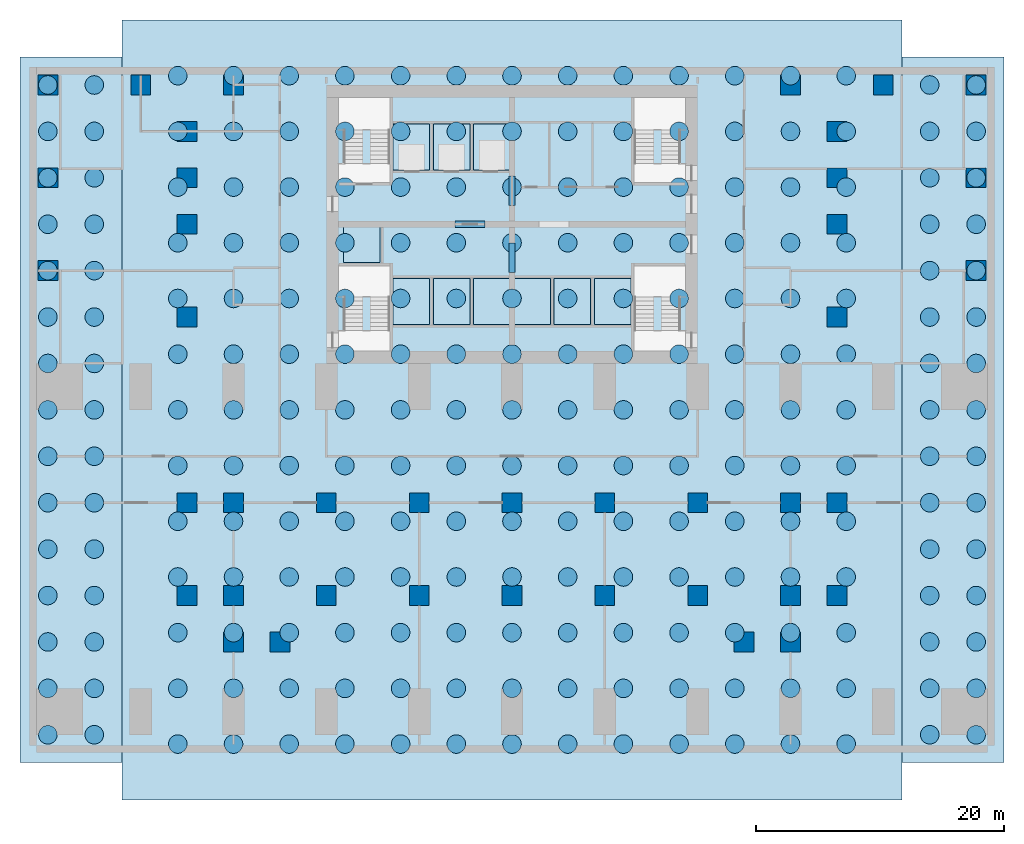
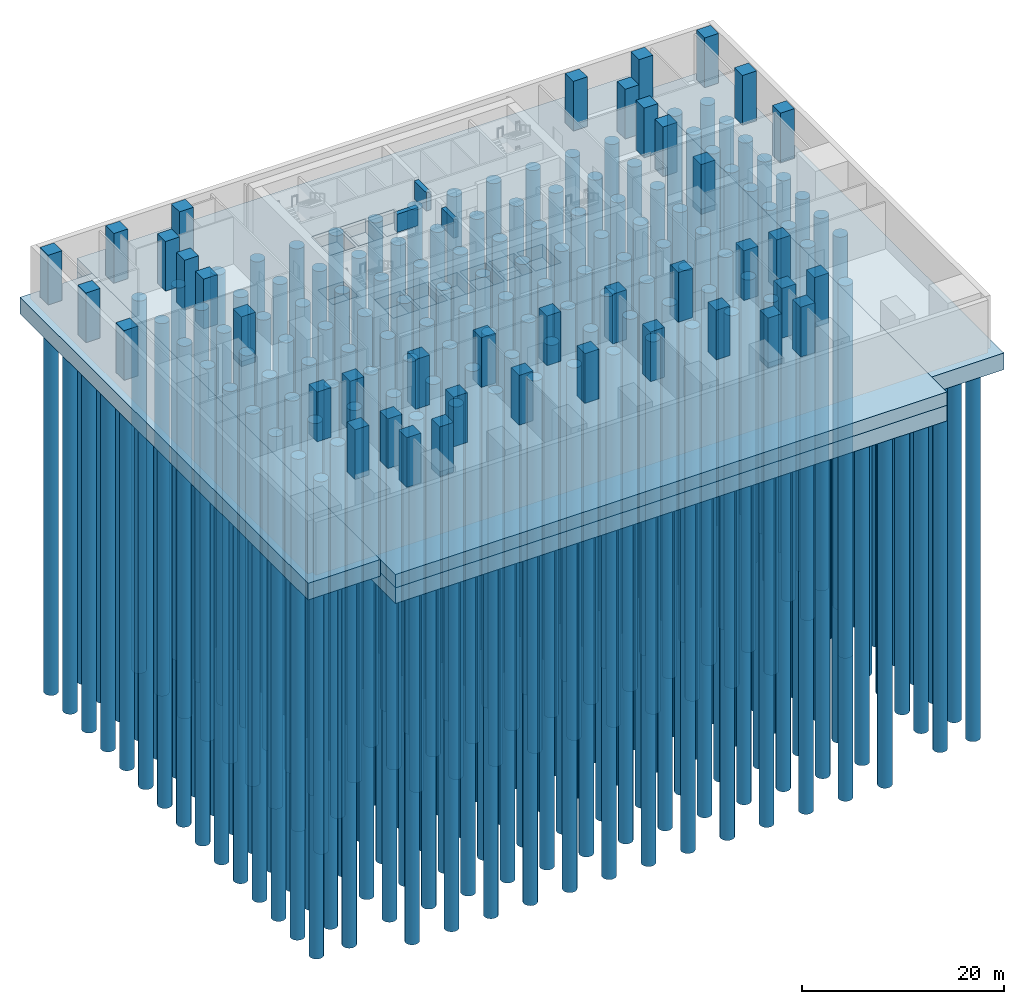
# One storey, part 1 of 9: 229 piles, 40 columns, 4 footings, 3 beams.
"""IFC4 building model written with IfcOpenShell, lengths in metres."""

from ifc_helpers import new_model, si_unit, direction, frame, origin, origin_2d, place, context, subcontext, project, spatial, polyline, rectangle, circle, outline, extrude, material, layer, layer_set, material_profile, profile_set, type_object, element, save


model = new_model("IFC4")

# Units and contexts
model_context = context("Model", 3, precision=1e-05, world=origin(), true_north=direction((0.0, 1.0)))
body_context = subcontext(model_context, "Body", "Model", "MODEL_VIEW")
ifc_project = project(units=[si_unit("LENGTHUNIT", "METRE"), si_unit("AREAUNIT", "SQUARE_METRE"), si_unit("VOLUMEUNIT", "CUBIC_METRE"), si_unit("PLANEANGLEUNIT", "RADIAN"), si_unit("MASSUNIT", "GRAM", prefix="KILO")], contexts=[model_context])

# Site, building, storey
site_placement = place(None, origin())
site = spatial("IfcSite", under=ifc_project, at=site_placement, CompositionType="ELEMENT")
building_placement = place(site_placement, origin())
building = spatial("IfcBuilding", under=site, at=building_placement, Name="Pilkhan Gate Tower", CompositionType="ELEMENT")
storey_placement = place(building_placement, frame((0.0, 0.0, -6.0)))
storey = spatial("IfcBuildingStorey", under=building, at=storey_placement, Name="B1", CompositionType="ELEMENT", Elevation=-6.0)

# Piles
ifc_material_1 = material(Name="Concrete C50/60", Category="concrete")
ifc_material_profile_1 = material_profile(ifc_material_1, circle(Radius=0.75, at=origin_2d()), Name="Bored pile 1500 dia")
ifc_profile_set_1 = profile_set([ifc_material_profile_1], Name="Concrete C50/60")
pile_type = type_object("IfcPileType", Name="Bored pile P1 D1500", PredefinedType="BORED", material=ifc_profile_set_1)
for number, where, z_axis, x_axis, name in (
    (1, (48.0, 40.5, -3.89990234375), (0.0, 0.0, -1.0), (1.0, 0.0, 0.0), "Pile P1-0001"),
    (2, (48.0, 45.0, -3.89990234375), (0.0, 0.0, -1.0), (1.0, 0.0, 0.0), "Pile P1-0002"),
    (3, (48.0, 49.5, -3.89990234375), (0.0, 0.0, -1.0), (1.0, 0.0, 0.0), "Pile P1-0003"),
    (4, (48.0, 54.0, -3.89990234375), (0.0, 0.0, -1.0), (1.0, 0.0, 0.0), "Pile P1-0004"),
    (5, (48.0, 58.5, -3.89990234375), (0.0, 0.0, -1.0), (1.0, 0.0, 0.0), "Pile P1-0005"),
    (6, (48.0, 63.0, -3.89990234375), (0.0, 0.0, -1.0), (1.0, 0.0, 0.0), "Pile P1-0006"),
    (7, (48.0, 67.5, -3.89990234375), (0.0, 0.0, -1.0), (1.0, 0.0, 0.0), "Pile P1-0007"),
    (8, (48.0, 72.0, -3.89990234375), (0.0, 0.0, -1.0), (1.0, 0.0, 0.0), "Pile P1-0008"),
    (9, (48.0, 76.5, -3.89990234375), (0.0, 0.0, -1.0), (1.0, 0.0, 0.0), "Pile P1-0009"),
    (10, (48.0, 81.0, -3.89990234375), (0.0, 0.0, -1.0), (1.0, 0.0, 0.0), "Pile P1-0010"),
    (11, (48.0, 85.5, -3.89990234375), (0.0, 0.0, -1.0), (1.0, 0.0, 0.0), "Pile P1-0011"),
    (12, (48.0, 90.0, -3.89990234375), (0.0, 0.0, -1.0), (1.0, 0.0, 0.0), "Pile P1-0012"),
    (13, (48.0, 94.5, -3.89990234375), (0.0, 0.0, -1.0), (1.0, 0.0, 0.0), "Pile P1-0013"),
    (14, (52.5, 40.5, -3.89990234375), (0.0, 0.0, -1.0), (1.0, 0.0, 0.0), "Pile P1-0014"),
    (15, (52.5, 45.0, -3.89990234375), (0.0, 0.0, -1.0), (1.0, 0.0, 0.0), "Pile P1-0015"),
    (16, (52.5, 49.5, -3.89990234375), (0.0, 0.0, -1.0), (1.0, 0.0, 0.0), "Pile P1-0016"),
    (17, (52.5, 54.0, -3.89990234375), (0.0, 0.0, -1.0), (1.0, 0.0, 0.0), "Pile P1-0017"),
    (18, (52.5, 58.5, -3.89990234375), (0.0, 0.0, -1.0), (1.0, 0.0, 0.0), "Pile P1-0018"),
    (19, (52.5, 63.0, -3.89990234375), (0.0, 0.0, -1.0), (1.0, 0.0, 0.0), "Pile P1-0019"),
    (20, (52.5, 67.5, -3.89990234375), (0.0, 0.0, -1.0), (1.0, 0.0, 0.0), "Pile P1-0020"),
    (21, (52.5, 72.0, -3.89990234375), (0.0, 0.0, -1.0), (1.0, 0.0, 0.0), "Pile P1-0021"),
    (22, (52.5, 76.5, -3.89990234375), (0.0, 0.0, -1.0), (1.0, 0.0, 0.0), "Pile P1-0022"),
    (23, (52.5, 81.0, -3.89990234375), (0.0, 0.0, -1.0), (1.0, 0.0, 0.0), "Pile P1-0023"),
    (24, (52.5, 85.5, -3.89990234375), (0.0, 0.0, -1.0), (1.0, 0.0, 0.0), "Pile P1-0024"),
    (25, (52.5, 90.0, -3.89990234375), (0.0, 0.0, -1.0), (1.0, 0.0, 0.0), "Pile P1-0025"),
    (26, (52.5, 94.5, -3.89990234375), (0.0, 0.0, -1.0), (1.0, 0.0, 0.0), "Pile P1-0026"),
    (27, (57.0, 40.5, -3.89990234375), (0.0, 0.0, -1.0), (1.0, 0.0, 0.0), "Pile P1-0027"),
    (28, (57.0, 45.0, -3.89990234375), (0.0, 0.0, -1.0), (1.0, 0.0, 0.0), "Pile P1-0028"),
    (29, (57.0, 49.5, -3.89990234375), (0.0, 0.0, -1.0), (1.0, 0.0, 0.0), "Pile P1-0029"),
    (30, (57.0, 54.0, -3.89990234375), (0.0, 0.0, -1.0), (1.0, 0.0, 0.0), "Pile P1-0030"),
    (31, (57.0, 58.5, -3.89990234375), (0.0, 0.0, -1.0), (1.0, 0.0, 0.0), "Pile P1-0031"),
    (32, (57.0, 63.0, -3.89990234375), (0.0, 0.0, -1.0), (1.0, 0.0, 0.0), "Pile P1-0032"),
    (33, (57.0, 67.5, -3.89990234375), (0.0, 0.0, -1.0), (1.0, 0.0, 0.0), "Pile P1-0033"),
    (34, (57.0, 72.0, -3.89990234375), (0.0, 0.0, -1.0), (1.0, 0.0, 0.0), "Pile P1-0034"),
    (35, (57.0, 76.5, -3.89990234375), (0.0, 0.0, -1.0), (1.0, 0.0, 0.0), "Pile P1-0035"),
    (36, (57.0, 81.0, -3.89990234375), (0.0, 0.0, -1.0), (1.0, 0.0, 0.0), "Pile P1-0036"),
    (37, (57.0, 85.5, -3.89990234375), (0.0, 0.0, -1.0), (1.0, 0.0, 0.0), "Pile P1-0037"),
    (38, (57.0, 90.0, -3.89990234375), (0.0, 0.0, -1.0), (1.0, 0.0, 0.0), "Pile P1-0038"),
    (39, (57.0, 94.5, -3.89990234375), (0.0, 0.0, -1.0), (1.0, 0.0, 0.0), "Pile P1-0039"),
    (40, (61.5, 40.5, -3.89990234375), (0.0, 0.0, -1.0), (1.0, 0.0, 0.0), "Pile P1-0040"),
    (41, (61.5, 45.0, -3.89990234375), (0.0, 0.0, -1.0), (1.0, 0.0, 0.0), "Pile P1-0041"),
    (42, (61.5, 49.5, -3.89990234375), (0.0, 0.0, -1.0), (1.0, 0.0, 0.0), "Pile P1-0042"),
    (43, (61.5, 54.0, -3.89990234375), (0.0, 0.0, -1.0), (1.0, 0.0, 0.0), "Pile P1-0043"),
    (44, (61.5, 58.5, -3.89990234375), (0.0, 0.0, -1.0), (1.0, 0.0, 0.0), "Pile P1-0044"),
    (45, (61.5, 63.0, -3.89990234375), (0.0, 0.0, -1.0), (1.0, 0.0, 0.0), "Pile P1-0045"),
    (46, (61.5, 67.5, -3.89990234375), (0.0, 0.0, -1.0), (1.0, 0.0, 0.0), "Pile P1-0046"),
    (47, (61.5, 72.0, -3.89990234375), (0.0, 0.0, -1.0), (1.0, 0.0, 0.0), "Pile P1-0047"),
    (48, (61.5, 76.5, -3.89990234375), (0.0, 0.0, -1.0), (1.0, 0.0, 0.0), "Pile P1-0048"),
    (49, (61.5, 81.0, -3.89990234375), (0.0, 0.0, -1.0), (1.0, 0.0, 0.0), "Pile P1-0049"),
    (50, (61.5, 85.5, -3.89990234375), (0.0, 0.0, -1.0), (1.0, 0.0, 0.0), "Pile P1-0050"),
    (51, (61.5, 90.0, -3.89990234375), (0.0, 0.0, -1.0), (1.0, 0.0, 0.0), "Pile P1-0051"),
    (52, (61.5, 94.5, -3.89990234375), (0.0, 0.0, -1.0), (1.0, 0.0, 0.0), "Pile P1-0052"),
    (53, (66.0, 40.5, -3.89990234375), (0.0, 0.0, -1.0), (1.0, 0.0, 0.0), "Pile P1-0053"),
    (54, (66.0, 45.0, -3.89990234375), (0.0, 0.0, -1.0), (1.0, 0.0, 0.0), "Pile P1-0054"),
    (55, (66.0, 49.5, -3.89990234375), (0.0, 0.0, -1.0), (1.0, 0.0, 0.0), "Pile P1-0055"),
    (56, (66.0, 54.0, -3.89990234375), (0.0, 0.0, -1.0), (1.0, 0.0, 0.0), "Pile P1-0056"),
    (57, (66.0, 58.5, -3.89990234375), (0.0, 0.0, -1.0), (1.0, 0.0, 0.0), "Pile P1-0057"),
    (58, (66.0, 63.0, -3.89990234375), (0.0, 0.0, -1.0), (1.0, 0.0, 0.0), "Pile P1-0058"),
    (59, (66.0, 67.5, -3.89990234375), (0.0, 0.0, -1.0), (1.0, 0.0, 0.0), "Pile P1-0059"),
    (60, (66.0, 72.0, -3.89990234375), (0.0, 0.0, -1.0), (1.0, 0.0, 0.0), "Pile P1-0060"),
    (61, (66.0, 76.5, -3.89990234375), (0.0, 0.0, -1.0), (1.0, 0.0, 0.0), "Pile P1-0061"),
    (62, (66.0, 81.0, -3.89990234375), (0.0, 0.0, -1.0), (1.0, 0.0, 0.0), "Pile P1-0062"),
    (63, (66.0, 85.5, -3.89990234375), (0.0, 0.0, -1.0), (1.0, 0.0, 0.0), "Pile P1-0063"),
    (64, (66.0, 90.0, -3.89990234375), (0.0, 0.0, -1.0), (1.0, 0.0, 0.0), "Pile P1-0064"),
    (65, (66.0, 94.5, -3.89990234375), (0.0, 0.0, -1.0), (1.0, 0.0, 0.0), "Pile P1-0065"),
    (66, (70.5, 40.5, -3.89990234375), (0.0, 0.0, -1.0), (1.0, 0.0, 0.0), "Pile P1-0066"),
    (67, (70.5, 45.0, -3.89990234375), (0.0, 0.0, -1.0), (1.0, 0.0, 0.0), "Pile P1-0067"),
    (68, (70.5, 49.5, -3.89990234375), (0.0, 0.0, -1.0), (1.0, 0.0, 0.0), "Pile P1-0068"),
    (69, (70.5, 54.0, -3.89990234375), (0.0, 0.0, -1.0), (1.0, 0.0, 0.0), "Pile P1-0069"),
    (70, (70.5, 58.5, -3.89990234375), (0.0, 0.0, -1.0), (1.0, 0.0, 0.0), "Pile P1-0070"),
    (71, (70.5, 63.0, -3.89990234375), (0.0, 0.0, -1.0), (1.0, 0.0, 0.0), "Pile P1-0071"),
    (72, (70.5, 67.5, -3.89990234375), (0.0, 0.0, -1.0), (1.0, 0.0, 0.0), "Pile P1-0072"),
    (73, (70.5, 72.0, -3.89990234375), (0.0, 0.0, -1.0), (1.0, 0.0, 0.0), "Pile P1-0073"),
    (74, (70.5, 76.5, -3.89990234375), (0.0, 0.0, -1.0), (1.0, 0.0, 0.0), "Pile P1-0074"),
    (75, (70.5, 81.0, -3.89990234375), (0.0, 0.0, -1.0), (1.0, 0.0, 0.0), "Pile P1-0075"),
    (76, (70.5, 85.5, -3.89990234375), (0.0, 0.0, -1.0), (1.0, 0.0, 0.0), "Pile P1-0076"),
    (77, (70.5, 90.0, -3.89990234375), (0.0, 0.0, -1.0), (1.0, 0.0, 0.0), "Pile P1-0077"),
    (78, (70.5, 94.5, -3.89990234375), (0.0, 0.0, -1.0), (1.0, 0.0, 0.0), "Pile P1-0078"),
    (79, (75.0, 40.5, -3.89990234375), (0.0, 0.0, -1.0), (1.0, 0.0, 0.0), "Pile P1-0079"),
    (80, (75.0, 45.0, -3.89990234375), (0.0, 0.0, -1.0), (1.0, 0.0, 0.0), "Pile P1-0080"),
    (81, (75.0, 49.5, -3.89990234375), (0.0, 0.0, -1.0), (1.0, 0.0, 0.0), "Pile P1-0081"),
    (82, (75.0, 54.0, -3.89990234375), (0.0, 0.0, -1.0), (1.0, 0.0, 0.0), "Pile P1-0082"),
    (83, (75.0, 58.5, -3.89990234375), (0.0, 0.0, -1.0), (1.0, 0.0, 0.0), "Pile P1-0083"),
    (84, (75.0, 63.0, -3.89990234375), (0.0, 0.0, -1.0), (1.0, 0.0, 0.0), "Pile P1-0084"),
    (85, (75.0, 67.5, -3.89990234375), (0.0, 0.0, -1.0), (1.0, 0.0, 0.0), "Pile P1-0085"),
    (86, (75.0, 72.0, -3.89990234375), (0.0, 0.0, -1.0), (1.0, 0.0, 0.0), "Pile P1-0086"),
    (87, (75.0, 76.5, -3.89990234375), (0.0, 0.0, -1.0), (1.0, 0.0, 0.0), "Pile P1-0087"),
    (88, (75.0, 81.0, -3.89990234375), (0.0, 0.0, -1.0), (1.0, 0.0, 0.0), "Pile P1-0088"),
    (89, (75.0, 85.5, -3.89990234375), (0.0, 0.0, -1.0), (1.0, 0.0, 0.0), "Pile P1-0089"),
    (90, (75.0, 90.0, -3.89990234375), (0.0, 0.0, -1.0), (1.0, 0.0, 0.0), "Pile P1-0090"),
    (91, (75.0, 94.5, -3.89990234375), (0.0, 0.0, -1.0), (1.0, 0.0, 0.0), "Pile P1-0091"),
    (92, (79.5, 40.5, -3.89990234375), (0.0, 0.0, -1.0), (1.0, 0.0, 0.0), "Pile P1-0092"),
    (93, (79.5, 45.0, -3.89990234375), (0.0, 0.0, -1.0), (1.0, 0.0, 0.0), "Pile P1-0093"),
    (94, (79.5, 49.5, -3.89990234375), (0.0, 0.0, -1.0), (1.0, 0.0, 0.0), "Pile P1-0094"),
    (95, (79.5, 54.0, -3.89990234375), (0.0, 0.0, -1.0), (1.0, 0.0, 0.0), "Pile P1-0095"),
    (96, (79.5, 58.5, -3.89990234375), (0.0, 0.0, -1.0), (1.0, 0.0, 0.0), "Pile P1-0096"),
    (97, (79.5, 63.0, -3.89990234375), (0.0, 0.0, -1.0), (1.0, 0.0, 0.0), "Pile P1-0097"),
    (98, (79.5, 67.5, -3.89990234375), (0.0, 0.0, -1.0), (1.0, 0.0, 0.0), "Pile P1-0098"),
    (99, (79.5, 72.0, -3.89990234375), (0.0, 0.0, -1.0), (1.0, 0.0, 0.0), "Pile P1-0099"),
    (100, (79.5, 76.5, -3.89990234375), (0.0, 0.0, -1.0), (1.0, 0.0, 0.0), "Pile P1-0100"),
    (101, (79.5, 81.0, -3.89990234375), (0.0, 0.0, -1.0), (1.0, 0.0, 0.0), "Pile P1-0101"),
    (102, (79.5, 85.5, -3.89990234375), (0.0, 0.0, -1.0), (1.0, 0.0, 0.0), "Pile P1-0102"),
    (103, (79.5, 90.0, -3.89990234375), (0.0, 0.0, -1.0), (1.0, 0.0, 0.0), "Pile P1-0103"),
    (104, (79.5, 94.5, -3.89990234375), (0.0, 0.0, -1.0), (1.0, 0.0, 0.0), "Pile P1-0104"),
    (105, (84.0, 40.5, -3.89990234375), (0.0, 0.0, -1.0), (1.0, 0.0, 0.0), "Pile P1-0105"),
    (106, (84.0, 45.0, -3.89990234375), (0.0, 0.0, -1.0), (1.0, 0.0, 0.0), "Pile P1-0106"),
    (107, (84.0, 49.5, -3.89990234375), (0.0, 0.0, -1.0), (1.0, 0.0, 0.0), "Pile P1-0107"),
    (108, (84.0, 54.0, -3.89990234375), (0.0, 0.0, -1.0), (1.0, 0.0, 0.0), "Pile P1-0108"),
    (109, (84.0, 58.5, -3.89990234375), (0.0, 0.0, -1.0), (1.0, 0.0, 0.0), "Pile P1-0109"),
    (110, (84.0, 63.0, -3.89990234375), (0.0, 0.0, -1.0), (1.0, 0.0, 0.0), "Pile P1-0110"),
    (111, (84.0, 67.5, -3.89990234375), (0.0, 0.0, -1.0), (1.0, 0.0, 0.0), "Pile P1-0111"),
    (112, (84.0, 72.0, -3.89990234375), (0.0, 0.0, -1.0), (1.0, 0.0, 0.0), "Pile P1-0112"),
    (113, (84.0, 76.5, -3.89990234375), (0.0, 0.0, -1.0), (1.0, 0.0, 0.0), "Pile P1-0113"),
    (114, (84.0, 81.0, -3.89990234375), (0.0, 0.0, -1.0), (1.0, 0.0, 0.0), "Pile P1-0114"),
    (115, (84.0, 85.5, -3.89990234375), (0.0, 0.0, -1.0), (1.0, 0.0, 0.0), "Pile P1-0115"),
    (116, (84.0, 90.0, -3.89990234375), (0.0, 0.0, -1.0), (1.0, 0.0, 0.0), "Pile P1-0116"),
    (117, (84.0, 94.5, -3.89990234375), (0.0, 0.0, -1.0), (1.0, 0.0, 0.0), "Pile P1-0117"),
    (118, (88.5, 40.5, -3.89990234375), (0.0, 0.0, -1.0), (1.0, 0.0, 0.0), "Pile P1-0118"),
    (119, (88.5, 45.0, -3.89990234375), (0.0, 0.0, -1.0), (1.0, 0.0, 0.0), "Pile P1-0119"),
    (120, (88.5, 49.5, -3.89990234375), (0.0, 0.0, -1.0), (1.0, 0.0, 0.0), "Pile P1-0120"),
    (121, (88.5, 54.0, -3.89990234375), (0.0, 0.0, -1.0), (1.0, 0.0, 0.0), "Pile P1-0121"),
    (122, (88.5, 58.5, -3.89990234375), (0.0, 0.0, -1.0), (1.0, 0.0, 0.0), "Pile P1-0122"),
    (123, (88.5, 63.0, -3.89990234375), (0.0, 0.0, -1.0), (1.0, 0.0, 0.0), "Pile P1-0123"),
    (124, (88.5, 67.5, -3.89990234375), (0.0, 0.0, -1.0), (1.0, 0.0, 0.0), "Pile P1-0124"),
    (125, (88.5, 72.0, -3.89990234375), (0.0, 0.0, -1.0), (1.0, 0.0, 0.0), "Pile P1-0125"),
    (126, (88.5, 76.5, -3.89990234375), (0.0, 0.0, -1.0), (1.0, 0.0, 0.0), "Pile P1-0126"),
    (127, (88.5, 81.0, -3.89990234375), (0.0, 0.0, -1.0), (1.0, 0.0, 0.0), "Pile P1-0127"),
    (128, (88.5, 85.5, -3.89990234375), (0.0, 0.0, -1.0), (1.0, 0.0, 0.0), "Pile P1-0128"),
    (129, (88.5, 90.0, -3.89990234375), (0.0, 0.0, -1.0), (1.0, 0.0, 0.0), "Pile P1-0129"),
    (130, (88.5, 94.5, -3.89990234375), (0.0, 0.0, -1.0), (1.0, 0.0, 0.0), "Pile P1-0130"),
    (131, (93.0, 40.5, -3.89990234375), (0.0, 0.0, -1.0), (1.0, 0.0, 0.0), "Pile P1-0131"),
    (132, (93.0, 45.0, -3.89990234375), (0.0, 0.0, -1.0), (1.0, 0.0, 0.0), "Pile P1-0132"),
    (133, (93.0, 49.5, -3.89990234375), (0.0, 0.0, -1.0), (1.0, 0.0, 0.0), "Pile P1-0133"),
    (134, (93.0, 54.0, -3.89990234375), (0.0, 0.0, -1.0), (1.0, 0.0, 0.0), "Pile P1-0134"),
    (135, (93.0, 58.5, -3.89990234375), (0.0, 0.0, -1.0), (1.0, 0.0, 0.0), "Pile P1-0135"),
    (136, (93.0, 63.0, -3.89990234375), (0.0, 0.0, -1.0), (1.0, 0.0, 0.0), "Pile P1-0136"),
    (137, (93.0, 67.5, -3.89990234375), (0.0, 0.0, -1.0), (1.0, 0.0, 0.0), "Pile P1-0137"),
    (138, (93.0, 72.0, -3.89990234375), (0.0, 0.0, -1.0), (1.0, 0.0, 0.0), "Pile P1-0138"),
    (139, (93.0, 76.5, -3.89990234375), (0.0, 0.0, -1.0), (1.0, 0.0, 0.0), "Pile P1-0139"),
    (140, (93.0, 81.0, -3.89990234375), (0.0, 0.0, -1.0), (1.0, 0.0, 0.0), "Pile P1-0140"),
    (141, (93.0, 85.5, -3.89990234375), (0.0, 0.0, -1.0), (1.0, 0.0, 0.0), "Pile P1-0141"),
    (142, (93.0, 90.0, -3.89990234375), (0.0, 0.0, -1.0), (1.0, 0.0, 0.0), "Pile P1-0142"),
    (143, (93.0, 94.5, -3.89990234375), (0.0, 0.0, -1.0), (1.0, 0.0, 0.0), "Pile P1-0143"),
    (144, (97.5, 40.5, -3.89990234375), (0.0, 0.0, -1.0), (1.0, 0.0, 0.0), "Pile P1-0144"),
    (145, (97.5, 45.0, -3.89990234375), (0.0, 0.0, -1.0), (1.0, 0.0, 0.0), "Pile P1-0145"),
    (146, (97.5, 49.5, -3.89990234375), (0.0, 0.0, -1.0), (1.0, 0.0, 0.0), "Pile P1-0146"),
    (147, (97.5, 54.0, -3.89990234375), (0.0, 0.0, -1.0), (1.0, 0.0, 0.0), "Pile P1-0147"),
    (148, (97.5, 58.5, -3.89990234375), (0.0, 0.0, -1.0), (1.0, 0.0, 0.0), "Pile P1-0148"),
    (149, (97.5, 63.0, -3.89990234375), (0.0, 0.0, -1.0), (1.0, 0.0, 0.0), "Pile P1-0149"),
    (150, (97.5, 67.5, -3.89990234375), (0.0, 0.0, -1.0), (1.0, 0.0, 0.0), "Pile P1-0150"),
    (151, (97.5, 72.0, -3.89990234375), (0.0, 0.0, -1.0), (1.0, 0.0, 0.0), "Pile P1-0151"),
    (152, (97.5, 76.5, -3.89990234375), (0.0, 0.0, -1.0), (1.0, 0.0, 0.0), "Pile P1-0152"),
    (153, (97.5, 81.0, -3.89990234375), (0.0, 0.0, -1.0), (1.0, 0.0, 0.0), "Pile P1-0153"),
    (154, (97.5, 85.5, -3.89990234375), (0.0, 0.0, -1.0), (1.0, 0.0, 0.0), "Pile P1-0154"),
    (155, (97.5, 90.0, -3.89990234375), (0.0, 0.0, -1.0), (1.0, 0.0, 0.0), "Pile P1-0155"),
    (156, (97.5, 94.5, -3.89990234375), (0.0, 0.0, -1.0), (1.0, 0.0, 0.0), "Pile P1-0156"),
    (157, (102.0, 40.5, -3.89990234375), (0.0, 0.0, -1.0), (1.0, 0.0, 0.0), "Pile P1-0157"),
    (158, (102.0, 45.0, -3.89990234375), (0.0, 0.0, -1.0), (1.0, 0.0, 0.0), "Pile P1-0158"),
    (159, (102.0, 49.5, -3.89990234375), (0.0, 0.0, -1.0), (1.0, 0.0, 0.0), "Pile P1-0159"),
    (160, (102.0, 54.0, -3.89990234375), (0.0, 0.0, -1.0), (1.0, 0.0, 0.0), "Pile P1-0160"),
    (161, (102.0, 58.5, -3.89990234375), (0.0, 0.0, -1.0), (1.0, 0.0, 0.0), "Pile P1-0161"),
    (162, (102.0, 63.0, -3.89990234375), (0.0, 0.0, -1.0), (1.0, 0.0, 0.0), "Pile P1-0162"),
    (163, (102.0, 67.5, -3.89990234375), (0.0, 0.0, -1.0), (1.0, 0.0, 0.0), "Pile P1-0163"),
    (164, (102.0, 72.0, -3.89990234375), (0.0, 0.0, -1.0), (1.0, 0.0, 0.0), "Pile P1-0164"),
    (165, (102.0, 76.5, -3.89990234375), (0.0, 0.0, -1.0), (1.0, 0.0, 0.0), "Pile P1-0165"),
    (166, (102.0, 81.0, -3.89990234375), (0.0, 0.0, -1.0), (1.0, 0.0, 0.0), "Pile P1-0166"),
    (167, (102.0, 85.5, -3.89990234375), (0.0, 0.0, -1.0), (1.0, 0.0, 0.0), "Pile P1-0167"),
    (168, (102.0, 90.0, -3.89990234375), (0.0, 0.0, -1.0), (1.0, 0.0, 0.0), "Pile P1-0168"),
    (169, (102.0, 94.5, -3.89990234375), (0.0, 0.0, -1.0), (1.0, 0.0, 0.0), "Pile P1-0169"),
    (170, (108.75, 41.25, -2.39990234375), (0.0, 0.0, -1.0), (1.0, 0.0, 0.0), "Pile P1-0170"),
    (171, (108.75, 45.0, -2.39990234375), (0.0, 0.0, -1.0), (1.0, 0.0, 0.0), "Pile P1-0171"),
    (172, (108.75, 48.75, -2.39990234375), (0.0, 0.0, -1.0), (1.0, 0.0, 0.0), "Pile P1-0172"),
    (173, (108.75, 52.5, -2.39990234375), (0.0, 0.0, -1.0), (1.0, 0.0, 0.0), "Pile P1-0173"),
    (174, (108.75, 56.25, -2.39990234375), (0.0, 0.0, -1.0), (1.0, 0.0, 0.0), "Pile P1-0174"),
    (175, (108.75, 60.0, -2.39990234375), (0.0, 0.0, -1.0), (1.0, 0.0, 0.0), "Pile P1-0175"),
    (176, (108.75, 63.75, -2.39990234375), (0.0, 0.0, -1.0), (1.0, 0.0, 0.0), "Pile P1-0176"),
    (177, (108.75, 67.5, -2.39990234375), (0.0, 0.0, -1.0), (1.0, 0.0, 0.0), "Pile P1-0177"),
    (178, (108.75, 71.25, -2.39990234375), (0.0, 0.0, -1.0), (1.0, 0.0, 0.0), "Pile P1-0178"),
    (179, (108.75, 75.0, -2.39990234375), (0.0, 0.0, -1.0), (1.0, 0.0, 0.0), "Pile P1-0179"),
    (180, (108.75, 78.75, -2.39990234375), (0.0, 0.0, -1.0), (1.0, 0.0, 0.0), "Pile P1-0180"),
    (181, (108.75, 82.5, -2.39990234375), (0.0, 0.0, -1.0), (1.0, 0.0, 0.0), "Pile P1-0181"),
    (182, (108.75, 86.25, -2.39990234375), (0.0, 0.0, -1.0), (1.0, 0.0, 0.0), "Pile P1-0182"),
    (183, (108.75, 90.0, -2.39990234375), (0.0, 0.0, -1.0), (1.0, 0.0, 0.0), "Pile P1-0183"),
    (184, (108.75, 93.75, -2.39990234375), (0.0, 0.0, -1.0), (1.0, 0.0, 0.0), "Pile P1-0184"),
    (185, (112.5, 41.25, -2.39990234375), (0.0, 0.0, -1.0), (1.0, 0.0, 0.0), "Pile P1-0185"),
    (186, (112.5, 45.0, -2.39990234375), (0.0, 0.0, -1.0), (1.0, 0.0, 0.0), "Pile P1-0186"),
    (187, (112.5, 48.75, -2.39990234375), (0.0, 0.0, -1.0), (1.0, 0.0, 0.0), "Pile P1-0187"),
    (188, (112.5, 52.5, -2.39990234375), (0.0, 0.0, -1.0), (1.0, 0.0, 0.0), "Pile P1-0188"),
    (189, (112.5, 56.25, -2.39990234375), (0.0, 0.0, -1.0), (1.0, 0.0, 0.0), "Pile P1-0189"),
    (190, (112.5, 60.0, -2.39990234375), (0.0, 0.0, -1.0), (1.0, 0.0, 0.0), "Pile P1-0190"),
    (191, (112.5, 63.75, -2.39990234375), (0.0, 0.0, -1.0), (1.0, 0.0, 0.0), "Pile P1-0191"),
    (192, (112.5, 67.5, -2.39990234375), (0.0, 0.0, -1.0), (1.0, 0.0, 0.0), "Pile P1-0192"),
    (193, (112.5, 71.25, -2.39990234375), (0.0, 0.0, -1.0), (1.0, 0.0, 0.0), "Pile P1-0193"),
    (194, (112.5, 75.0, -2.39990234375), (0.0, 0.0, -1.0), (1.0, 0.0, 0.0), "Pile P1-0194"),
    (195, (112.5, 78.75, -2.39990234375), (0.0, 0.0, -1.0), (1.0, 0.0, 0.0), "Pile P1-0195"),
    (196, (112.5, 82.5, -2.39990234375), (0.0, 0.0, -1.0), (1.0, 0.0, 0.0), "Pile P1-0196"),
    (197, (112.5, 86.25, -2.39990234375), (0.0, 0.0, -1.0), (1.0, 0.0, 0.0), "Pile P1-0197"),
    (198, (112.5, 90.0, -2.39990234375), (0.0, 0.0, -1.0), (1.0, 0.0, 0.0), "Pile P1-0198"),
    (199, (112.5, 93.75, -2.39990234375), (0.0, 0.0, -1.0), (1.0, 0.0, 0.0), "Pile P1-0199"),
    (200, (41.25, 41.25, -2.39990234375), (0.0, 0.0, -1.0), (1.0, 0.0, 0.0), "Pile P1-0200"),
    (201, (41.25, 45.0, -2.39990234375), (0.0, 0.0, -1.0), (1.0, 0.0, 0.0), "Pile P1-0201"),
    (202, (41.25, 48.75, -2.39990234375), (0.0, 0.0, -1.0), (1.0, 0.0, 0.0), "Pile P1-0202"),
    (203, (41.25, 52.5, -2.39990234375), (0.0, 0.0, -1.0), (1.0, 0.0, 0.0), "Pile P1-0203"),
    (204, (41.25, 56.25, -2.39990234375), (0.0, 0.0, -1.0), (1.0, 0.0, 0.0), "Pile P1-0204"),
    (205, (41.25, 60.0, -2.39990234375), (0.0, 0.0, -1.0), (1.0, 0.0, 0.0), "Pile P1-0205"),
    (206, (41.25, 63.75, -2.39990234375), (0.0, 0.0, -1.0), (1.0, 0.0, 0.0), "Pile P1-0206"),
    (207, (41.25, 67.5, -2.39990234375), (0.0, 0.0, -1.0), (1.0, 0.0, 0.0), "Pile P1-0207"),
    (208, (41.25, 71.25, -2.39990234375), (0.0, 0.0, -1.0), (1.0, 0.0, 0.0), "Pile P1-0208"),
    (209, (41.25, 75.0, -2.39990234375), (0.0, 0.0, -1.0), (1.0, 0.0, 0.0), "Pile P1-0209"),
    (210, (41.25, 78.75, -2.39990234375), (0.0, 0.0, -1.0), (1.0, 0.0, 0.0), "Pile P1-0210"),
    (211, (41.25, 82.5, -2.39990234375), (0.0, 0.0, -1.0), (1.0, 0.0, 0.0), "Pile P1-0211"),
    (212, (41.25, 86.25, -2.39990234375), (0.0, 0.0, -1.0), (1.0, 0.0, 0.0), "Pile P1-0212"),
    (213, (41.25, 90.0, -2.39990234375), (0.0, 0.0, -1.0), (1.0, 0.0, 0.0), "Pile P1-0213"),
    (214, (41.25, 93.75, -2.39990234375), (0.0, 0.0, -1.0), (1.0, 0.0, 0.0), "Pile P1-0214"),
    (215, (37.5, 41.25, -2.39990234375), (0.0, 0.0, -1.0), (1.0, 0.0, 0.0), "Pile P1-0215"),
    (216, (37.5, 45.0, -2.39990234375), (0.0, 0.0, -1.0), (1.0, 0.0, 0.0), "Pile P1-0216"),
    (217, (37.5, 48.75, -2.39990234375), (0.0, 0.0, -1.0), (1.0, 0.0, 0.0), "Pile P1-0217"),
    (218, (37.5, 52.5, -2.39990234375), (0.0, 0.0, -1.0), (1.0, 0.0, 0.0), "Pile P1-0218"),
    (219, (37.5, 56.25, -2.39990234375), (0.0, 0.0, -1.0), (1.0, 0.0, 0.0), "Pile P1-0219"),
    (220, (37.5, 60.0, -2.39990234375), (0.0, 0.0, -1.0), (1.0, 0.0, 0.0), "Pile P1-0220"),
    (221, (37.5, 63.75, -2.39990234375), (0.0, 0.0, -1.0), (1.0, 0.0, 0.0), "Pile P1-0221"),
    (222, (37.5, 67.5, -2.39990234375), (0.0, 0.0, -1.0), (1.0, 0.0, 0.0), "Pile P1-0222"),
    (223, (37.5, 71.25, -2.39990234375), (0.0, 0.0, -1.0), (1.0, 0.0, 0.0), "Pile P1-0223"),
    (224, (37.5, 75.0, -2.39990234375), (0.0, 0.0, -1.0), (1.0, 0.0, 0.0), "Pile P1-0224"),
    (225, (37.5, 78.75, -2.39990234375), (0.0, 0.0, -1.0), (1.0, 0.0, 0.0), "Pile P1-0225"),
    (226, (37.5, 82.5, -2.39990234375), (0.0, 0.0, -1.0), (1.0, 0.0, 0.0), "Pile P1-0226"),
    (227, (37.5, 86.25, -2.39990234375), (0.0, 0.0, -1.0), (1.0, 0.0, 0.0), "Pile P1-0227"),
    (228, (37.5, 90.0, -2.39990234375), (0.0, 0.0, -1.0), (1.0, 0.0, 0.0), "Pile P1-0228"),
    (229, (37.5, 93.75, -2.39990234375), (0.0, 0.0, -1.0), (1.0, 0.0, 0.0), "Pile P1-0229"),
):
    element("IfcPile", number, at=place(storey_placement, frame(where, z_axis=z_axis, x_axis=x_axis)), inside=storey, type_object=pile_type, Name=name, PredefinedType="BORED", context=body_context, shape_type="SweptSolid", body=[
        extrude(circle(Radius=0.75, at=origin_2d()), origin(), (0.0, 0.0, 1.0), 45.0),
    ])

# Footings
ifc_layer_1 = layer(ifc_material_1, 2.0)
ifc_layer_set_1 = layer_set([ifc_layer_1], Name="Podium raft RF2")
footing_type_1 = type_object("IfcFootingType", Name="Podium raft RF2", PredefinedType="PILE_CAP", material=ifc_layer_set_1)
footing_1_placement = place(storey_placement, frame((0.0, 0.0, -2.39990234375)))
element("IfcFooting", 230, at=footing_1_placement, inside=storey, type_object=footing_type_1, Name="Podium raft RF2 E", PredefinedType="PILE_CAP", context=body_context, shape_type="SweptSolid", body=[
    extrude(outline(polyline([(106.5, 39.0), (114.75, 39.0), (114.75, 96.0), (106.5, 96.0), (106.5, 39.0)])), origin(), (0.0, 0.0, 1.0), 2.0),
])
footing_2_placement = place(storey_placement, frame((0.0, 0.0, -2.39990234375)))
element("IfcFooting", 231, at=footing_2_placement, inside=storey, type_object=footing_type_1, Name="Podium raft RF2 W", PredefinedType="PILE_CAP", context=body_context, shape_type="SweptSolid", body=[
    extrude(outline(polyline([(35.25, 39.0), (43.5, 39.0), (43.5, 96.0), (35.25, 96.0), (35.25, 39.0)])), origin(), (0.0, 0.0, 1.0), 2.0),
])
ifc_layer_2 = layer(ifc_material_1, 1.89990234375)
ifc_layer_set_2 = layer_set([ifc_layer_2], Name="Tower raft RF1")
footing_type_2 = type_object("IfcFootingType", Name="Tower raft RF1", PredefinedType="PILE_CAP", material=ifc_layer_set_2)
footing_3_placement = place(storey_placement, frame((0.0, 0.0, -3.89990234375)))
element("IfcFooting", 232, at=footing_3_placement, inside=storey, type_object=footing_type_2, Name="Tower raft RF1", PredefinedType="PILE_CAP", context=body_context, shape_type="SweptSolid", body=[
    extrude(outline(polyline([(43.5, 36.0), (106.5, 36.0), (106.5, 99.0), (43.5, 99.0), (43.5, 36.0)])), origin(), (0.0, 0.0, 1.0), 1.89990234375),
])
ifc_layer_3 = layer(ifc_material_1, 1.60009765625)
ifc_layer_set_3 = layer_set([ifc_layer_3], Name="Tower raft pit layer RF3")
footing_type_3 = type_object("IfcFootingType", Name="Tower raft pit layer RF3", PredefinedType="PILE_CAP", material=ifc_layer_set_3)
footing_4_placement = place(storey_placement, frame((0.0, 0.0, -2.0)))
element("IfcFooting", 233, at=footing_4_placement, inside=storey, type_object=footing_type_3, Name="Tower raft RF3", PredefinedType="PILE_CAP", context=body_context, shape_type="SweptSolid", body=[
    extrude(outline(polyline([(43.5, 36.0), (106.5, 36.0), (106.5, 99.0), (43.5, 99.0), (43.5, 36.0)]), holes=[polyline([(65.39990234375, 74.39990234375), (68.35009765625, 74.39990234375), (68.35009765625, 78.10009765625), (65.39990234375, 78.10009765625), (65.39990234375, 74.39990234375)]), polyline([(68.64990234375, 74.39990234375), (71.60009765625, 74.39990234375), (71.60009765625, 78.10009765625), (68.64990234375, 78.10009765625), (68.64990234375, 74.39990234375)]), polyline([(71.89990234375, 74.39990234375), (74.85009765625, 74.39990234375), (74.85009765625, 78.10009765625), (71.89990234375, 78.10009765625), (71.89990234375, 74.39990234375)]), polyline([(75.14990234375, 74.39990234375), (78.10009765625, 74.39990234375), (78.10009765625, 78.10009765625), (75.14990234375, 78.10009765625), (75.14990234375, 74.39990234375)]), polyline([(78.39990234375, 74.39990234375), (81.35009765625, 74.39990234375), (81.35009765625, 78.10009765625), (78.39990234375, 78.10009765625), (78.39990234375, 74.39990234375)]), polyline([(81.64990234375, 74.39990234375), (84.60009765625, 74.39990234375), (84.60009765625, 78.10009765625), (81.64990234375, 78.10009765625), (81.64990234375, 74.39990234375)]), polyline([(65.39990234375, 86.89990234375), (68.35009765625, 86.89990234375), (68.35009765625, 90.60009765625), (65.39990234375, 90.60009765625), (65.39990234375, 86.89990234375)]), polyline([(68.64990234375, 86.89990234375), (71.60009765625, 86.89990234375), (71.60009765625, 90.60009765625), (68.64990234375, 90.60009765625), (68.64990234375, 86.89990234375)]), polyline([(71.89990234375, 86.89990234375), (74.85009765625, 86.89990234375), (74.85009765625, 90.60009765625), (71.89990234375, 90.60009765625), (71.89990234375, 86.89990234375)]), polyline([(61.39990234375, 79.39990234375), (64.35009765625, 79.39990234375), (64.35009765625, 82.35009765625), (61.39990234375, 82.35009765625), (61.39990234375, 79.39990234375)])]), origin(), (0.0, 0.0, 1.0), 1.60009765625),
])

# Columns
ifc_material_2 = material(Name="Concrete C70/85", Category="concrete")
ifc_material_profile_2 = material_profile(ifc_material_2, rectangle(XDim=1.60009765625, YDim=1.60009765625, at=origin_2d()), Name="RC 1600x1600")
ifc_profile_set_2 = profile_set([ifc_material_profile_2], Name="Concrete C70/85")
column_type = type_object("IfcColumnType", Name="Column C160 RC 1600x1600 C70/85", PredefinedType="COLUMN", material=ifc_profile_set_2)
for number, where, z_axis, x_axis, name in (
    (234, (37.5, 78.75, 0.0), (0.0, 0.0, 1.0), (1.0, 0.0, 0.0), "Column 1/L B1"),
    (235, (37.5, 86.25, 0.0), (0.0, 0.0, 1.0), (1.0, 0.0, 0.0), "Column 1/N B1"),
    (236, (37.5, 93.75, 0.0), (0.0, 0.0, 1.0), (1.0, 0.0, 0.0), "Column 1/Q B1"),
    (237, (45.0, 93.75, 0.0), (0.0, 0.0, 1.0), (1.0, 0.0, 0.0), "Column 3/Q B1"),
    (238, (48.75, 52.5, 0.0), (0.0, 0.0, 1.0), (1.0, 0.0, 0.0), "Column 4/D B1"),
    (239, (48.75, 60.0, 0.0), (0.0, 0.0, 1.0), (1.0, 0.0, 0.0), "Column 4/F B1"),
    (240, (48.75, 75.0, 0.0), (0.0, 0.0, 1.0), (1.0, 0.0, 0.0), "Column 4/K B1"),
    (241, (48.75, 82.5, 0.0), (0.0, 0.0, 1.0), (1.0, 0.0, 0.0), "Column 4/M B1"),
    (242, (48.75, 86.25, 0.0), (0.0, 0.0, 1.0), (1.0, 0.0, 0.0), "Column 4/N B1"),
    (243, (48.75, 90.0, 0.0), (0.0, 0.0, 1.0), (1.0, 0.0, 0.0), "Column 4/P B1"),
    (244, (52.5, 48.75, 0.0), (0.0, 0.0, 1.0), (1.0, 0.0, 0.0), "Column 5/C B1"),
    (245, (52.5, 52.5, 0.0), (0.0, 0.0, 1.0), (1.0, 0.0, 0.0), "Column 5/D B1"),
    (246, (52.5, 60.0, 0.0), (0.0, 0.0, 1.0), (1.0, 0.0, 0.0), "Column 5/F B1"),
    (247, (52.5, 93.75, 0.0), (0.0, 0.0, 1.0), (1.0, 0.0, 0.0), "Column 5/Q B1"),
    (248, (56.25, 48.75, 0.0), (0.0, 0.0, 1.0), (1.0, 0.0, 0.0), "Column 6/C B1"),
    (249, (60.0, 52.5, 0.0), (0.0, 0.0, 1.0), (1.0, 0.0, 0.0), "Column 7/D B1"),
    (250, (60.0, 60.0, 0.0), (0.0, 0.0, 1.0), (1.0, 0.0, 0.0), "Column 7/F B1"),
    (251, (67.5, 52.5, 0.0), (0.0, 0.0, 1.0), (1.0, 0.0, 0.0), "Column 9/D B1"),
    (252, (67.5, 60.0, 0.0), (0.0, 0.0, 1.0), (1.0, 0.0, 0.0), "Column 9/F B1"),
    (253, (75.0, 52.5, 0.0), (0.0, 0.0, 1.0), (1.0, 0.0, 0.0), "Column 11/D B1"),
    (254, (75.0, 60.0, 0.0), (0.0, 0.0, 1.0), (1.0, 0.0, 0.0), "Column 11/F B1"),
    (255, (82.5, 52.5, 0.0), (0.0, 0.0, 1.0), (1.0, 0.0, 0.0), "Column 13/D B1"),
    (256, (82.5, 60.0, 0.0), (0.0, 0.0, 1.0), (1.0, 0.0, 0.0), "Column 13/F B1"),
    (257, (90.0, 52.5, 0.0), (0.0, 0.0, 1.0), (1.0, 0.0, 0.0), "Column 15/D B1"),
    (258, (90.0, 60.0, 0.0), (0.0, 0.0, 1.0), (1.0, 0.0, 0.0), "Column 15/F B1"),
    (259, (93.75, 48.75, 0.0), (0.0, 0.0, 1.0), (1.0, 0.0, 0.0), "Column 16/C B1"),
    (260, (97.5, 48.75, 0.0), (0.0, 0.0, 1.0), (1.0, 0.0, 0.0), "Column 17/C B1"),
    (261, (97.5, 52.5, 0.0), (0.0, 0.0, 1.0), (1.0, 0.0, 0.0), "Column 17/D B1"),
    (262, (97.5, 60.0, 0.0), (0.0, 0.0, 1.0), (1.0, 0.0, 0.0), "Column 17/F B1"),
    (263, (97.5, 93.75, 0.0), (0.0, 0.0, 1.0), (1.0, 0.0, 0.0), "Column 17/Q B1"),
    (264, (101.25, 52.5, 0.0), (0.0, 0.0, 1.0), (1.0, 0.0, 0.0), "Column 18/D B1"),
    (265, (101.25, 60.0, 0.0), (0.0, 0.0, 1.0), (1.0, 0.0, 0.0), "Column 18/F B1"),
    (266, (101.25, 75.0, 0.0), (0.0, 0.0, 1.0), (1.0, 0.0, 0.0), "Column 18/K B1"),
    (267, (101.25, 82.5, 0.0), (0.0, 0.0, 1.0), (1.0, 0.0, 0.0), "Column 18/M B1"),
    (268, (101.25, 86.25, 0.0), (0.0, 0.0, 1.0), (1.0, 0.0, 0.0), "Column 18/N B1"),
    (269, (101.25, 90.0, 0.0), (0.0, 0.0, 1.0), (1.0, 0.0, 0.0), "Column 18/P B1"),
    (270, (105.0, 93.75, 0.0), (0.0, 0.0, 1.0), (1.0, 0.0, 0.0), "Column 19/Q B1"),
    (271, (112.5, 78.75, 0.0), (0.0, 0.0, 1.0), (1.0, 0.0, 0.0), "Column 21/L B1"),
    (272, (112.5, 86.25, 0.0), (0.0, 0.0, 1.0), (1.0, 0.0, 0.0), "Column 21/N B1"),
    (273, (112.5, 93.75, 0.0), (0.0, 0.0, 1.0), (1.0, 0.0, 0.0), "Column 21/Q B1"),
):
    element("IfcColumn", number, at=place(storey_placement, frame(where, z_axis=z_axis, x_axis=x_axis)), inside=storey, type_object=column_type, Name=name, PredefinedType="COLUMN", context=body_context, shape_type="SweptSolid", body=[
        extrude(rectangle(XDim=1.60009765625, YDim=1.60009765625, at=origin_2d()), origin(), (0.0, 0.0, 1.0), 6.0),
    ])

# Beams
ifc_material_profile_3 = material_profile(ifc_material_2, rectangle(XDim=0.5, YDim=2.199951171875, at=origin_2d()), Name="RC 500x2200")
ifc_profile_set_3 = profile_set([ifc_material_profile_3], Name="Concrete C70/85")
beam_type = type_object("IfcBeamType", Name="Coupling beam CB220 RC 500x2200 C70/85", PredefinedType="LINTEL", material=ifc_profile_set_3)
beam_placement = place(storey_placement, frame((70.39990234375, 82.5, 4.550048828125), z_axis=(1.0, 0.0, 0.0), x_axis=(0.0, 1.0, 0.0)))
element("IfcBeam", 274, at=beam_placement, inside=storey, type_object=beam_type, Name="Coupling beam 1 B1", PredefinedType="LINTEL", context=body_context, shape_type="SweptSolid", body=[
    extrude(rectangle(XDim=0.5, YDim=2.199951171875, at=origin_2d()), origin(), (0.0, 0.0, 1.0), 2.400146484375),
])
for number, where, z_axis, x_axis, name in (
    (275, (75.0, 78.60009765625, 4.550048828125), (0.0, 1.0, 0.0), (-1.0, 0.0, 0.0), "Coupling beam 3 B1"),
    (276, (75.0, 84.0, 4.550048828125), (0.0, 1.0, 0.0), (-1.0, 0.0, 0.0), "Coupling beam 4 B1"),
):
    element("IfcBeam", number, at=place(storey_placement, frame(where, z_axis=z_axis, x_axis=x_axis)), inside=storey, type_object=beam_type, Name=name, PredefinedType="LINTEL", context=body_context, shape_type="SweptSolid", body=[
        extrude(rectangle(XDim=0.5, YDim=2.199951171875, at=origin_2d()), origin(), (0.0, 0.0, 1.0), 2.39990234375),
    ])

save(model, "model.ifc")
